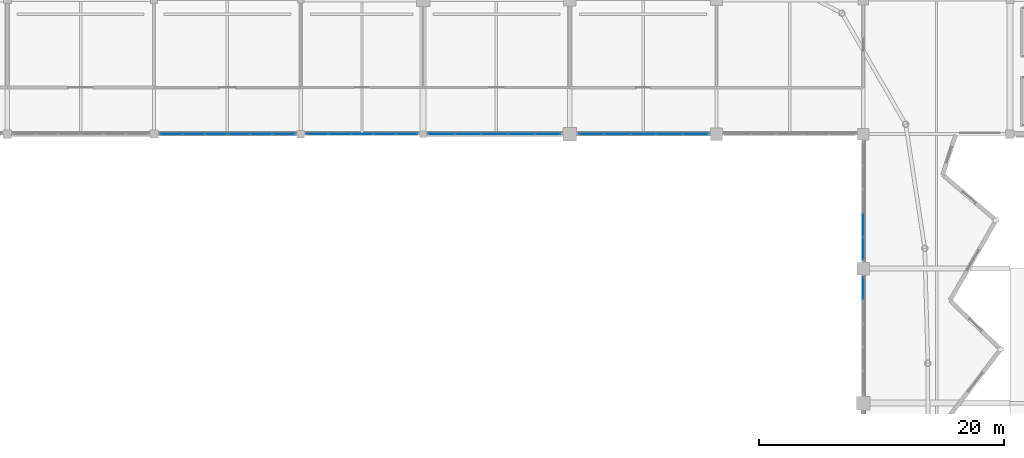
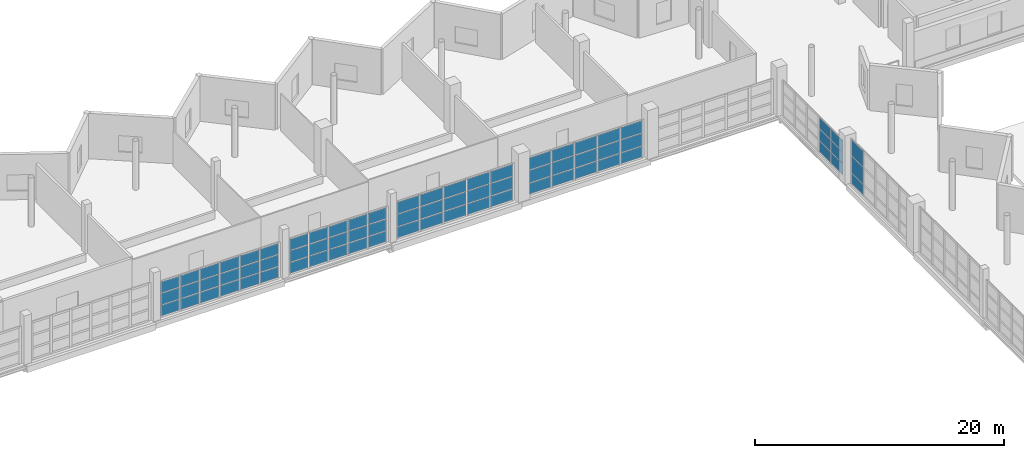
# One storey, part 33 of 53: 72 plates, 6 elements without a shape of their own.
"""IFC4 building model written with IfcOpenShell, lengths in metres."""

from ifc_helpers import new_model, si_unit, direction, frame, origin, origin_2d, place, context, subcontext, project, spatial, rectangle, extrude, material, layer, layer_set, type_object, element, aggregate, save


model = new_model("IFC4")

# Units and contexts
model_context = context("Model", 3, precision=1e-05, world=origin(), true_north=direction((0.0, 1.0)))
body_context = subcontext(model_context, "Body", "Model", "MODEL_VIEW")
ifc_project = project(units=[si_unit("LENGTHUNIT", "METRE"), si_unit("AREAUNIT", "SQUARE_METRE"), si_unit("VOLUMEUNIT", "CUBIC_METRE"), si_unit("PLANEANGLEUNIT", "RADIAN"), si_unit("MASSUNIT", "GRAM", prefix="KILO")], contexts=[model_context])

# Site, building, storey
site_placement = place(None, origin())
site = spatial("IfcSite", under=ifc_project, at=site_placement, CompositionType="ELEMENT")
building_placement = place(site_placement, origin())
building = spatial("IfcBuilding", under=site, at=building_placement, Name="Luwafu Chhajja Arena", CompositionType="ELEMENT")
storey_placement = place(building_placement, frame((0.0, 0.0, 19.5)))
storey = spatial("IfcBuildingStorey", under=building, at=storey_placement, Name="L04", CompositionType="ELEMENT", Elevation=19.5)

# Curtain wall, plates
ifc_material_1 = material(Name="Anodised bronze aluminium", Category="aluminium")
curtain_wall_type = type_object("IfcCurtainWallType", Name="Media Ribbon Curtain Wall", PredefinedType="USERDEFINED", material=ifc_material_1)
curtain_wall_1_placement = place(storey_placement, origin())
curtain_wall_1 = element("IfcCurtainWall", 1, at=curtain_wall_1_placement, inside=storey, type_object=curtain_wall_type, Name="L04 Bowl Viewing Curtain Wall CWR-L04-10", ObjectType="CURTAIN WALL", PredefinedType="USERDEFINED")
ifc_material_2 = material(Name="Solar-control laminated glass", Category="glass")
ifc_layer = layer(ifc_material_2, 0.035888671875, Name="Solar-control laminated glass")
ifc_layer_set = layer_set([ifc_layer], Name="Solar-control laminated glass")
plate_type = type_object("IfcPlateType", Name="Acoustic Broadcast Double Glazed CW Panel 36", PredefinedType="CURTAIN_PANEL", material=ifc_layer_set)
plate_1_placement = place(storey_placement, frame((83.406982421875, 77.0, 0.070068359375), z_axis=(0.0, 0.0, 1.0), x_axis=(1.0, 0.0, 0.0)))
plate_1 = element("IfcPlate", 2, at=plate_1_placement, type_object=plate_type, Name="CW-03 panel 1.1", PredefinedType="CURTAIN_PANEL", context=body_context, shape_type="SweptSolid", body=[
    extrude(rectangle(XDim=1.744140625, YDim=0.035888671875, at=origin_2d()), origin(), (0.0, 0.0, 1.0), 1.044921875),
])
plate_2_placement = place(storey_placement, frame((83.406982421875, 77.0, 1.18505859375), z_axis=(0.0, 0.0, 1.0), x_axis=(1.0, 0.0, 0.0)))
plate_2 = element("IfcPlate", 3, at=plate_2_placement, type_object=plate_type, Name="CW-03 panel 1.2", PredefinedType="CURTAIN_PANEL", context=body_context, shape_type="SweptSolid", body=[
    extrude(rectangle(XDim=1.744140625, YDim=0.035888671875, at=origin_2d()), origin(), (0.0, 0.0, 1.0), 1.10009765625),
])
plate_3_placement = place(storey_placement, frame((83.406982421875, 77.0, 2.35498046875), z_axis=(0.0, 0.0, 1.0), x_axis=(1.0, 0.0, 0.0)))
plate_3 = element("IfcPlate", 4, at=plate_3_placement, type_object=plate_type, Name="CW-03 panel 1.3", PredefinedType="CURTAIN_PANEL", context=body_context, shape_type="SweptSolid", body=[
    extrude(rectangle(XDim=1.744140625, YDim=0.035888671875, at=origin_2d()), origin(), (0.0, 0.0, 1.0), 1.06494140625),
])
plate_4_placement = place(storey_placement, frame((85.23876953125, 77.0, 0.070068359375), z_axis=(0.0, 0.0, 1.0), x_axis=(1.0, 0.0, 0.0)))
plate_4 = element("IfcPlate", 5, at=plate_4_placement, type_object=plate_type, Name="CW-03 panel 2.1", PredefinedType="CURTAIN_PANEL", context=body_context, shape_type="SweptSolid", body=[
    extrude(rectangle(XDim=1.779052734375, YDim=0.035888671875, at=origin_2d()), origin(), (0.0, 0.0, 1.0), 1.044921875),
])
plate_5_placement = place(storey_placement, frame((85.23876953125, 77.0, 1.18505859375), z_axis=(0.0, 0.0, 1.0), x_axis=(1.0, 0.0, 0.0)))
plate_5 = element("IfcPlate", 6, at=plate_5_placement, type_object=plate_type, Name="CW-03 panel 2.2", PredefinedType="CURTAIN_PANEL", context=body_context, shape_type="SweptSolid", body=[
    extrude(rectangle(XDim=1.779052734375, YDim=0.035888671875, at=origin_2d()), origin(), (0.0, 0.0, 1.0), 1.10009765625),
])
plate_6_placement = place(storey_placement, frame((85.23876953125, 77.0, 2.35498046875), z_axis=(0.0, 0.0, 1.0), x_axis=(1.0, 0.0, 0.0)))
plate_6 = element("IfcPlate", 7, at=plate_6_placement, type_object=plate_type, Name="CW-03 panel 2.3", PredefinedType="CURTAIN_PANEL", context=body_context, shape_type="SweptSolid", body=[
    extrude(rectangle(XDim=1.779052734375, YDim=0.035888671875, at=origin_2d()), origin(), (0.0, 0.0, 1.0), 1.06494140625),
])
plate_7_placement = place(storey_placement, frame((87.087890625, 77.0, 0.070068359375), z_axis=(0.0, 0.0, 1.0), x_axis=(1.0, 0.0, 0.0)))
plate_7 = element("IfcPlate", 8, at=plate_7_placement, type_object=plate_type, Name="CW-03 panel 3.1", PredefinedType="CURTAIN_PANEL", context=body_context, shape_type="SweptSolid", body=[
    extrude(rectangle(XDim=1.779052734375, YDim=0.035888671875, at=origin_2d()), origin(), (0.0, 0.0, 1.0), 1.044921875),
])
plate_8_placement = place(storey_placement, frame((87.087890625, 77.0, 1.18505859375), z_axis=(0.0, 0.0, 1.0), x_axis=(1.0, 0.0, 0.0)))
plate_8 = element("IfcPlate", 9, at=plate_8_placement, type_object=plate_type, Name="CW-03 panel 3.2", PredefinedType="CURTAIN_PANEL", context=body_context, shape_type="SweptSolid", body=[
    extrude(rectangle(XDim=1.779052734375, YDim=0.035888671875, at=origin_2d()), origin(), (0.0, 0.0, 1.0), 1.10009765625),
])
plate_9_placement = place(storey_placement, frame((87.087890625, 77.0, 2.35498046875), z_axis=(0.0, 0.0, 1.0), x_axis=(1.0, 0.0, 0.0)))
plate_9 = element("IfcPlate", 10, at=plate_9_placement, type_object=plate_type, Name="CW-03 panel 3.3", PredefinedType="CURTAIN_PANEL", context=body_context, shape_type="SweptSolid", body=[
    extrude(rectangle(XDim=1.779052734375, YDim=0.035888671875, at=origin_2d()), origin(), (0.0, 0.0, 1.0), 1.06494140625),
])
plate_10_placement = place(storey_placement, frame((88.93701171875, 77.0, 0.070068359375), z_axis=(0.0, 0.0, 1.0), x_axis=(1.0, 0.0, 0.0)))
plate_10 = element("IfcPlate", 11, at=plate_10_placement, type_object=plate_type, Name="CW-03 panel 4.1", PredefinedType="CURTAIN_PANEL", context=body_context, shape_type="SweptSolid", body=[
    extrude(rectangle(XDim=1.779052734375, YDim=0.035888671875, at=origin_2d()), origin(), (0.0, 0.0, 1.0), 1.044921875),
])
plate_11_placement = place(storey_placement, frame((88.93701171875, 77.0, 1.18505859375), z_axis=(0.0, 0.0, 1.0), x_axis=(1.0, 0.0, 0.0)))
plate_11 = element("IfcPlate", 12, at=plate_11_placement, type_object=plate_type, Name="CW-03 panel 4.2", PredefinedType="CURTAIN_PANEL", context=body_context, shape_type="SweptSolid", body=[
    extrude(rectangle(XDim=1.779052734375, YDim=0.035888671875, at=origin_2d()), origin(), (0.0, 0.0, 1.0), 1.10009765625),
])
plate_12_placement = place(storey_placement, frame((88.93701171875, 77.0, 2.35498046875), z_axis=(0.0, 0.0, 1.0), x_axis=(1.0, 0.0, 0.0)))
plate_12 = element("IfcPlate", 13, at=plate_12_placement, type_object=plate_type, Name="CW-03 panel 4.3", PredefinedType="CURTAIN_PANEL", context=body_context, shape_type="SweptSolid", body=[
    extrude(rectangle(XDim=1.779052734375, YDim=0.035888671875, at=origin_2d()), origin(), (0.0, 0.0, 1.0), 1.06494140625),
])
plate_13_placement = place(storey_placement, frame((90.7861328125, 77.0, 0.070068359375), z_axis=(0.0, 0.0, 1.0), x_axis=(1.0, 0.0, 0.0)))
plate_13 = element("IfcPlate", 14, at=plate_13_placement, type_object=plate_type, Name="CW-03 panel 5.1", PredefinedType="CURTAIN_PANEL", context=body_context, shape_type="SweptSolid", body=[
    extrude(rectangle(XDim=1.779052734375, YDim=0.035888671875, at=origin_2d()), origin(), (0.0, 0.0, 1.0), 1.044921875),
])
plate_14_placement = place(storey_placement, frame((90.7861328125, 77.0, 1.18505859375), z_axis=(0.0, 0.0, 1.0), x_axis=(1.0, 0.0, 0.0)))
plate_14 = element("IfcPlate", 15, at=plate_14_placement, type_object=plate_type, Name="CW-03 panel 5.2", PredefinedType="CURTAIN_PANEL", context=body_context, shape_type="SweptSolid", body=[
    extrude(rectangle(XDim=1.779052734375, YDim=0.035888671875, at=origin_2d()), origin(), (0.0, 0.0, 1.0), 1.10009765625),
])
plate_15_placement = place(storey_placement, frame((90.7861328125, 77.0, 2.35498046875), z_axis=(0.0, 0.0, 1.0), x_axis=(1.0, 0.0, 0.0)))
plate_15 = element("IfcPlate", 16, at=plate_15_placement, type_object=plate_type, Name="CW-03 panel 5.3", PredefinedType="CURTAIN_PANEL", context=body_context, shape_type="SweptSolid", body=[
    extrude(rectangle(XDim=1.779052734375, YDim=0.035888671875, at=origin_2d()), origin(), (0.0, 0.0, 1.0), 1.06494140625),
])
plate_16_placement = place(storey_placement, frame((92.617919921875, 77.0, 0.070068359375), z_axis=(0.0, 0.0, 1.0), x_axis=(1.0, 0.0, 0.0)))
plate_16 = element("IfcPlate", 17, at=plate_16_placement, type_object=plate_type, Name="CW-03 panel 6.1", PredefinedType="CURTAIN_PANEL", context=body_context, shape_type="SweptSolid", body=[
    extrude(rectangle(XDim=1.744140625, YDim=0.035888671875, at=origin_2d()), origin(), (0.0, 0.0, 1.0), 1.044921875),
])
plate_17_placement = place(storey_placement, frame((92.617919921875, 77.0, 1.18505859375), z_axis=(0.0, 0.0, 1.0), x_axis=(1.0, 0.0, 0.0)))
plate_17 = element("IfcPlate", 18, at=plate_17_placement, type_object=plate_type, Name="CW-03 panel 6.2", PredefinedType="CURTAIN_PANEL", context=body_context, shape_type="SweptSolid", body=[
    extrude(rectangle(XDim=1.744140625, YDim=0.035888671875, at=origin_2d()), origin(), (0.0, 0.0, 1.0), 1.10009765625),
])
plate_18_placement = place(storey_placement, frame((92.617919921875, 77.0, 2.35498046875), z_axis=(0.0, 0.0, 1.0), x_axis=(1.0, 0.0, 0.0)))
plate_18 = element("IfcPlate", 19, at=plate_18_placement, type_object=plate_type, Name="CW-03 panel 6.3", PredefinedType="CURTAIN_PANEL", context=body_context, shape_type="SweptSolid", body=[
    extrude(rectangle(XDim=1.744140625, YDim=0.035888671875, at=origin_2d()), origin(), (0.0, 0.0, 1.0), 1.06494140625),
])
aggregate(curtain_wall_1, [plate_1, plate_2, plate_3, plate_4, plate_5, plate_6, plate_7, plate_8, plate_9, plate_10, plate_11, plate_12, plate_13, plate_14, plate_15, plate_16, plate_17, plate_18])

curtain_wall_2_placement = place(storey_placement, origin())
curtain_wall_2 = element("IfcCurtainWall", 20, at=curtain_wall_2_placement, inside=storey, type_object=curtain_wall_type, Name="L04 Bowl Viewing Curtain Wall CWR-L04-11", ObjectType="CURTAIN WALL", PredefinedType="USERDEFINED")
plate_19_placement = place(storey_placement, frame((95.3720703125, 77.0, 0.070068359375), z_axis=(0.0, 0.0, 1.0), x_axis=(1.0, 0.0, 0.0)))
plate_19 = element("IfcPlate", 21, at=plate_19_placement, type_object=plate_type, Name="CW-03 panel 1.1", PredefinedType="CURTAIN_PANEL", context=body_context, shape_type="SweptSolid", body=[
    extrude(rectangle(XDim=1.72412109375, YDim=0.035888671875, at=origin_2d()), origin(), (0.0, 0.0, 1.0), 1.044921875),
])
plate_20_placement = place(storey_placement, frame((95.3720703125, 77.0, 1.18505859375), z_axis=(0.0, 0.0, 1.0), x_axis=(1.0, 0.0, 0.0)))
plate_20 = element("IfcPlate", 22, at=plate_20_placement, type_object=plate_type, Name="CW-03 panel 1.2", PredefinedType="CURTAIN_PANEL", context=body_context, shape_type="SweptSolid", body=[
    extrude(rectangle(XDim=1.72412109375, YDim=0.035888671875, at=origin_2d()), origin(), (0.0, 0.0, 1.0), 1.10009765625),
])
plate_21_placement = place(storey_placement, frame((95.3720703125, 77.0, 2.35498046875), z_axis=(0.0, 0.0, 1.0), x_axis=(1.0, 0.0, 0.0)))
plate_21 = element("IfcPlate", 23, at=plate_21_placement, type_object=plate_type, Name="CW-03 panel 1.3", PredefinedType="CURTAIN_PANEL", context=body_context, shape_type="SweptSolid", body=[
    extrude(rectangle(XDim=1.72412109375, YDim=0.035888671875, at=origin_2d()), origin(), (0.0, 0.0, 1.0), 1.06494140625),
])
plate_22_placement = place(storey_placement, frame((97.18359375, 77.0, 0.070068359375), z_axis=(0.0, 0.0, 1.0), x_axis=(1.0, 0.0, 0.0)))
plate_22 = element("IfcPlate", 24, at=plate_22_placement, type_object=plate_type, Name="CW-03 panel 2.1", PredefinedType="CURTAIN_PANEL", context=body_context, shape_type="SweptSolid", body=[
    extrude(rectangle(XDim=1.759033203125, YDim=0.035888671875, at=origin_2d()), origin(), (0.0, 0.0, 1.0), 1.044921875),
])
plate_23_placement = place(storey_placement, frame((97.18359375, 77.0, 1.18505859375), z_axis=(0.0, 0.0, 1.0), x_axis=(1.0, 0.0, 0.0)))
plate_23 = element("IfcPlate", 25, at=plate_23_placement, type_object=plate_type, Name="CW-03 panel 2.2", PredefinedType="CURTAIN_PANEL", context=body_context, shape_type="SweptSolid", body=[
    extrude(rectangle(XDim=1.759033203125, YDim=0.035888671875, at=origin_2d()), origin(), (0.0, 0.0, 1.0), 1.10009765625),
])
plate_24_placement = place(storey_placement, frame((97.18359375, 77.0, 2.35498046875), z_axis=(0.0, 0.0, 1.0), x_axis=(1.0, 0.0, 0.0)))
plate_24 = element("IfcPlate", 26, at=plate_24_placement, type_object=plate_type, Name="CW-03 panel 2.3", PredefinedType="CURTAIN_PANEL", context=body_context, shape_type="SweptSolid", body=[
    extrude(rectangle(XDim=1.759033203125, YDim=0.035888671875, at=origin_2d()), origin(), (0.0, 0.0, 1.0), 1.06494140625),
])
plate_25_placement = place(storey_placement, frame((99.012451171875, 77.0, 0.070068359375), z_axis=(0.0, 0.0, 1.0), x_axis=(1.0, 0.0, 0.0)))
plate_25 = element("IfcPlate", 27, at=plate_25_placement, type_object=plate_type, Name="CW-03 panel 3.1", PredefinedType="CURTAIN_PANEL", context=body_context, shape_type="SweptSolid", body=[
    extrude(rectangle(XDim=1.759033203125, YDim=0.035888671875, at=origin_2d()), origin(), (0.0, 0.0, 1.0), 1.044921875),
])
plate_26_placement = place(storey_placement, frame((99.012451171875, 77.0, 1.18505859375), z_axis=(0.0, 0.0, 1.0), x_axis=(1.0, 0.0, 0.0)))
plate_26 = element("IfcPlate", 28, at=plate_26_placement, type_object=plate_type, Name="CW-03 panel 3.2", PredefinedType="CURTAIN_PANEL", context=body_context, shape_type="SweptSolid", body=[
    extrude(rectangle(XDim=1.759033203125, YDim=0.035888671875, at=origin_2d()), origin(), (0.0, 0.0, 1.0), 1.10009765625),
])
plate_27_placement = place(storey_placement, frame((99.012451171875, 77.0, 2.35498046875), z_axis=(0.0, 0.0, 1.0), x_axis=(1.0, 0.0, 0.0)))
plate_27 = element("IfcPlate", 29, at=plate_27_placement, type_object=plate_type, Name="CW-03 panel 3.3", PredefinedType="CURTAIN_PANEL", context=body_context, shape_type="SweptSolid", body=[
    extrude(rectangle(XDim=1.759033203125, YDim=0.035888671875, at=origin_2d()), origin(), (0.0, 0.0, 1.0), 1.06494140625),
])
plate_28_placement = place(storey_placement, frame((100.841552734375, 77.0, 0.070068359375), z_axis=(0.0, 0.0, 1.0), x_axis=(1.0, 0.0, 0.0)))
plate_28 = element("IfcPlate", 30, at=plate_28_placement, type_object=plate_type, Name="CW-03 panel 4.1", PredefinedType="CURTAIN_PANEL", context=body_context, shape_type="SweptSolid", body=[
    extrude(rectangle(XDim=1.759033203125, YDim=0.035888671875, at=origin_2d()), origin(), (0.0, 0.0, 1.0), 1.044921875),
])
plate_29_placement = place(storey_placement, frame((100.841552734375, 77.0, 1.18505859375), z_axis=(0.0, 0.0, 1.0), x_axis=(1.0, 0.0, 0.0)))
plate_29 = element("IfcPlate", 31, at=plate_29_placement, type_object=plate_type, Name="CW-03 panel 4.2", PredefinedType="CURTAIN_PANEL", context=body_context, shape_type="SweptSolid", body=[
    extrude(rectangle(XDim=1.759033203125, YDim=0.035888671875, at=origin_2d()), origin(), (0.0, 0.0, 1.0), 1.10009765625),
])
plate_30_placement = place(storey_placement, frame((100.841552734375, 77.0, 2.35498046875), z_axis=(0.0, 0.0, 1.0), x_axis=(1.0, 0.0, 0.0)))
plate_30 = element("IfcPlate", 32, at=plate_30_placement, type_object=plate_type, Name="CW-03 panel 4.3", PredefinedType="CURTAIN_PANEL", context=body_context, shape_type="SweptSolid", body=[
    extrude(rectangle(XDim=1.759033203125, YDim=0.035888671875, at=origin_2d()), origin(), (0.0, 0.0, 1.0), 1.06494140625),
])
plate_31_placement = place(storey_placement, frame((102.653076171875, 77.0, 0.070068359375), z_axis=(0.0, 0.0, 1.0), x_axis=(1.0, 0.0, 0.0)))
plate_31 = element("IfcPlate", 33, at=plate_31_placement, type_object=plate_type, Name="CW-03 panel 5.1", PredefinedType="CURTAIN_PANEL", context=body_context, shape_type="SweptSolid", body=[
    extrude(rectangle(XDim=1.72412109375, YDim=0.035888671875, at=origin_2d()), origin(), (0.0, 0.0, 1.0), 1.044921875),
])
plate_32_placement = place(storey_placement, frame((102.653076171875, 77.0, 1.18505859375), z_axis=(0.0, 0.0, 1.0), x_axis=(1.0, 0.0, 0.0)))
plate_32 = element("IfcPlate", 34, at=plate_32_placement, type_object=plate_type, Name="CW-03 panel 5.2", PredefinedType="CURTAIN_PANEL", context=body_context, shape_type="SweptSolid", body=[
    extrude(rectangle(XDim=1.72412109375, YDim=0.035888671875, at=origin_2d()), origin(), (0.0, 0.0, 1.0), 1.10009765625),
])
plate_33_placement = place(storey_placement, frame((102.653076171875, 77.0, 2.35498046875), z_axis=(0.0, 0.0, 1.0), x_axis=(1.0, 0.0, 0.0)))
plate_33 = element("IfcPlate", 35, at=plate_33_placement, type_object=plate_type, Name="CW-03 panel 5.3", PredefinedType="CURTAIN_PANEL", context=body_context, shape_type="SweptSolid", body=[
    extrude(rectangle(XDim=1.72412109375, YDim=0.035888671875, at=origin_2d()), origin(), (0.0, 0.0, 1.0), 1.06494140625),
])
aggregate(curtain_wall_2, [plate_19, plate_20, plate_21, plate_22, plate_23, plate_24, plate_25, plate_26, plate_27, plate_28, plate_29, plate_30, plate_31, plate_32, plate_33])

curtain_wall_3_placement = place(storey_placement, origin())
curtain_wall_3 = element("IfcCurtainWall", 36, at=curtain_wall_3_placement, inside=storey, type_object=curtain_wall_type, Name="L04 Bowl Viewing Curtain Wall CWR-L04-12", ObjectType="CURTAIN WALL", PredefinedType="USERDEFINED")
plate_34_placement = place(storey_placement, frame((105.52197265625, 77.0, 0.070068359375), z_axis=(0.0, 0.0, 1.0), x_axis=(1.0, 0.0, 0.0)))
plate_34 = element("IfcPlate", 37, at=plate_34_placement, type_object=plate_type, Name="CW-03 panel 1.1", PredefinedType="CURTAIN_PANEL", context=body_context, shape_type="SweptSolid", body=[
    extrude(rectangle(XDim=2.073974609375, YDim=0.035888671875, at=origin_2d()), origin(), (0.0, 0.0, 1.0), 1.044921875),
])
plate_35_placement = place(storey_placement, frame((105.52197265625, 77.0, 1.18505859375), z_axis=(0.0, 0.0, 1.0), x_axis=(1.0, 0.0, 0.0)))
plate_35 = element("IfcPlate", 38, at=plate_35_placement, type_object=plate_type, Name="CW-03 panel 1.2", PredefinedType="CURTAIN_PANEL", context=body_context, shape_type="SweptSolid", body=[
    extrude(rectangle(XDim=2.073974609375, YDim=0.035888671875, at=origin_2d()), origin(), (0.0, 0.0, 1.0), 1.175048828125),
])
plate_36_placement = place(storey_placement, frame((105.52197265625, 77.0, 2.43017578125), z_axis=(0.0, 0.0, 1.0), x_axis=(1.0, 0.0, 0.0)))
plate_36 = element("IfcPlate", 39, at=plate_36_placement, type_object=plate_type, Name="CW-03 panel 1.3", PredefinedType="CURTAIN_PANEL", context=body_context, shape_type="SweptSolid", body=[
    extrude(rectangle(XDim=2.073974609375, YDim=0.035888671875, at=origin_2d()), origin(), (0.0, 0.0, 1.0), 1.139892578125),
])
plate_37_placement = place(storey_placement, frame((107.68359375, 77.0, 0.070068359375), z_axis=(0.0, 0.0, 1.0), x_axis=(1.0, 0.0, 0.0)))
plate_37 = element("IfcPlate", 40, at=plate_37_placement, type_object=plate_type, Name="CW-03 panel 2.1", PredefinedType="CURTAIN_PANEL", context=body_context, shape_type="SweptSolid", body=[
    extrude(rectangle(XDim=2.10888671875, YDim=0.035888671875, at=origin_2d()), origin(), (0.0, 0.0, 1.0), 1.044921875),
])
plate_38_placement = place(storey_placement, frame((107.68359375, 77.0, 1.18505859375), z_axis=(0.0, 0.0, 1.0), x_axis=(1.0, 0.0, 0.0)))
plate_38 = element("IfcPlate", 41, at=plate_38_placement, type_object=plate_type, Name="CW-03 panel 2.2", PredefinedType="CURTAIN_PANEL", context=body_context, shape_type="SweptSolid", body=[
    extrude(rectangle(XDim=2.10888671875, YDim=0.035888671875, at=origin_2d()), origin(), (0.0, 0.0, 1.0), 1.175048828125),
])
plate_39_placement = place(storey_placement, frame((107.68359375, 77.0, 2.43017578125), z_axis=(0.0, 0.0, 1.0), x_axis=(1.0, 0.0, 0.0)))
plate_39 = element("IfcPlate", 42, at=plate_39_placement, type_object=plate_type, Name="CW-03 panel 2.3", PredefinedType="CURTAIN_PANEL", context=body_context, shape_type="SweptSolid", body=[
    extrude(rectangle(XDim=2.10888671875, YDim=0.035888671875, at=origin_2d()), origin(), (0.0, 0.0, 1.0), 1.139892578125),
])
plate_40_placement = place(storey_placement, frame((109.862548828125, 77.0, 0.070068359375), z_axis=(0.0, 0.0, 1.0), x_axis=(1.0, 0.0, 0.0)))
plate_40 = element("IfcPlate", 43, at=plate_40_placement, type_object=plate_type, Name="CW-03 panel 3.1", PredefinedType="CURTAIN_PANEL", context=body_context, shape_type="SweptSolid", body=[
    extrude(rectangle(XDim=2.10888671875, YDim=0.035888671875, at=origin_2d()), origin(), (0.0, 0.0, 1.0), 1.044921875),
])
plate_41_placement = place(storey_placement, frame((109.862548828125, 77.0, 1.18505859375), z_axis=(0.0, 0.0, 1.0), x_axis=(1.0, 0.0, 0.0)))
plate_41 = element("IfcPlate", 44, at=plate_41_placement, type_object=plate_type, Name="CW-03 panel 3.2", PredefinedType="CURTAIN_PANEL", context=body_context, shape_type="SweptSolid", body=[
    extrude(rectangle(XDim=2.10888671875, YDim=0.035888671875, at=origin_2d()), origin(), (0.0, 0.0, 1.0), 1.175048828125),
])
plate_42_placement = place(storey_placement, frame((109.862548828125, 77.0, 2.43017578125), z_axis=(0.0, 0.0, 1.0), x_axis=(1.0, 0.0, 0.0)))
plate_42 = element("IfcPlate", 45, at=plate_42_placement, type_object=plate_type, Name="CW-03 panel 3.3", PredefinedType="CURTAIN_PANEL", context=body_context, shape_type="SweptSolid", body=[
    extrude(rectangle(XDim=2.10888671875, YDim=0.035888671875, at=origin_2d()), origin(), (0.0, 0.0, 1.0), 1.139892578125),
])
plate_43_placement = place(storey_placement, frame((112.04150390625, 77.0, 0.070068359375), z_axis=(0.0, 0.0, 1.0), x_axis=(1.0, 0.0, 0.0)))
plate_43 = element("IfcPlate", 46, at=plate_43_placement, type_object=plate_type, Name="CW-03 panel 4.1", PredefinedType="CURTAIN_PANEL", context=body_context, shape_type="SweptSolid", body=[
    extrude(rectangle(XDim=2.10888671875, YDim=0.035888671875, at=origin_2d()), origin(), (0.0, 0.0, 1.0), 1.044921875),
])
plate_44_placement = place(storey_placement, frame((112.04150390625, 77.0, 1.18505859375), z_axis=(0.0, 0.0, 1.0), x_axis=(1.0, 0.0, 0.0)))
plate_44 = element("IfcPlate", 47, at=plate_44_placement, type_object=plate_type, Name="CW-03 panel 4.2", PredefinedType="CURTAIN_PANEL", context=body_context, shape_type="SweptSolid", body=[
    extrude(rectangle(XDim=2.10888671875, YDim=0.035888671875, at=origin_2d()), origin(), (0.0, 0.0, 1.0), 1.175048828125),
])
plate_45_placement = place(storey_placement, frame((112.04150390625, 77.0, 2.43017578125), z_axis=(0.0, 0.0, 1.0), x_axis=(1.0, 0.0, 0.0)))
plate_45 = element("IfcPlate", 48, at=plate_45_placement, type_object=plate_type, Name="CW-03 panel 4.3", PredefinedType="CURTAIN_PANEL", context=body_context, shape_type="SweptSolid", body=[
    extrude(rectangle(XDim=2.10888671875, YDim=0.035888671875, at=origin_2d()), origin(), (0.0, 0.0, 1.0), 1.139892578125),
])
plate_46_placement = place(storey_placement, frame((114.202880859375, 77.0, 0.070068359375), z_axis=(0.0, 0.0, 1.0), x_axis=(1.0, 0.0, 0.0)))
plate_46 = element("IfcPlate", 49, at=plate_46_placement, type_object=plate_type, Name="CW-03 panel 5.1", PredefinedType="CURTAIN_PANEL", context=body_context, shape_type="SweptSolid", body=[
    extrude(rectangle(XDim=2.073974609375, YDim=0.035888671875, at=origin_2d()), origin(), (0.0, 0.0, 1.0), 1.044921875),
])
plate_47_placement = place(storey_placement, frame((114.202880859375, 77.0, 1.18505859375), z_axis=(0.0, 0.0, 1.0), x_axis=(1.0, 0.0, 0.0)))
plate_47 = element("IfcPlate", 50, at=plate_47_placement, type_object=plate_type, Name="CW-03 panel 5.2", PredefinedType="CURTAIN_PANEL", context=body_context, shape_type="SweptSolid", body=[
    extrude(rectangle(XDim=2.073974609375, YDim=0.035888671875, at=origin_2d()), origin(), (0.0, 0.0, 1.0), 1.175048828125),
])
plate_48_placement = place(storey_placement, frame((114.202880859375, 77.0, 2.43017578125), z_axis=(0.0, 0.0, 1.0), x_axis=(1.0, 0.0, 0.0)))
plate_48 = element("IfcPlate", 51, at=plate_48_placement, type_object=plate_type, Name="CW-03 panel 5.3", PredefinedType="CURTAIN_PANEL", context=body_context, shape_type="SweptSolid", body=[
    extrude(rectangle(XDim=2.073974609375, YDim=0.035888671875, at=origin_2d()), origin(), (0.0, 0.0, 1.0), 1.139892578125),
])
aggregate(curtain_wall_3, [plate_34, plate_35, plate_36, plate_37, plate_38, plate_39, plate_40, plate_41, plate_42, plate_43, plate_44, plate_45, plate_46, plate_47, plate_48])

curtain_wall_4_placement = place(storey_placement, origin())
curtain_wall_4 = element("IfcCurtainWall", 52, at=curtain_wall_4_placement, inside=storey, type_object=curtain_wall_type, Name="L04 Bowl Viewing Curtain Wall CWR-L04-13", ObjectType="CURTAIN WALL", PredefinedType="USERDEFINED")
plate_49_placement = place(storey_placement, frame((117.7744140625, 77.0, 0.070068359375), z_axis=(0.0, 0.0, 1.0), x_axis=(1.0, 0.0, 0.0)))
plate_49 = element("IfcPlate", 53, at=plate_49_placement, type_object=plate_type, Name="CW-03 panel 1.1", PredefinedType="CURTAIN_PANEL", context=body_context, shape_type="SweptSolid", body=[
    extrude(rectangle(XDim=2.029052734375, YDim=0.035888671875, at=origin_2d()), origin(), (0.0, 0.0, 1.0), 1.044921875),
])
plate_50_placement = place(storey_placement, frame((117.7744140625, 77.0, 1.18505859375), z_axis=(0.0, 0.0, 1.0), x_axis=(1.0, 0.0, 0.0)))
plate_50 = element("IfcPlate", 54, at=plate_50_placement, type_object=plate_type, Name="CW-03 panel 1.2", PredefinedType="CURTAIN_PANEL", context=body_context, shape_type="SweptSolid", body=[
    extrude(rectangle(XDim=2.029052734375, YDim=0.035888671875, at=origin_2d()), origin(), (0.0, 0.0, 1.0), 1.208251953125),
])
plate_51_placement = place(storey_placement, frame((117.7744140625, 77.0, 2.463134765625), z_axis=(0.0, 0.0, 1.0), x_axis=(1.0, 0.0, 0.0)))
plate_51 = element("IfcPlate", 55, at=plate_51_placement, type_object=plate_type, Name="CW-03 panel 1.3", PredefinedType="CURTAIN_PANEL", context=body_context, shape_type="SweptSolid", body=[
    extrude(rectangle(XDim=2.029052734375, YDim=0.035888671875, at=origin_2d()), origin(), (0.0, 0.0, 1.0), 1.17333984375),
])
plate_52_placement = place(storey_placement, frame((119.89111328125, 77.0, 0.070068359375), z_axis=(0.0, 0.0, 1.0), x_axis=(1.0, 0.0, 0.0)))
plate_52 = element("IfcPlate", 56, at=plate_52_placement, type_object=plate_type, Name="CW-03 panel 2.1", PredefinedType="CURTAIN_PANEL", context=body_context, shape_type="SweptSolid", body=[
    extrude(rectangle(XDim=2.06396484375, YDim=0.035888671875, at=origin_2d()), origin(), (0.0, 0.0, 1.0), 1.044921875),
])
plate_53_placement = place(storey_placement, frame((119.89111328125, 77.0, 1.18505859375), z_axis=(0.0, 0.0, 1.0), x_axis=(1.0, 0.0, 0.0)))
plate_53 = element("IfcPlate", 57, at=plate_53_placement, type_object=plate_type, Name="CW-03 panel 2.2", PredefinedType="CURTAIN_PANEL", context=body_context, shape_type="SweptSolid", body=[
    extrude(rectangle(XDim=2.06396484375, YDim=0.035888671875, at=origin_2d()), origin(), (0.0, 0.0, 1.0), 1.208251953125),
])
plate_54_placement = place(storey_placement, frame((119.89111328125, 77.0, 2.463134765625), z_axis=(0.0, 0.0, 1.0), x_axis=(1.0, 0.0, 0.0)))
plate_54 = element("IfcPlate", 58, at=plate_54_placement, type_object=plate_type, Name="CW-03 panel 2.3", PredefinedType="CURTAIN_PANEL", context=body_context, shape_type="SweptSolid", body=[
    extrude(rectangle(XDim=2.06396484375, YDim=0.035888671875, at=origin_2d()), origin(), (0.0, 0.0, 1.0), 1.17333984375),
])
plate_55_placement = place(storey_placement, frame((122.02490234375, 77.0, 0.070068359375), z_axis=(0.0, 0.0, 1.0), x_axis=(1.0, 0.0, 0.0)))
plate_55 = element("IfcPlate", 59, at=plate_55_placement, type_object=plate_type, Name="CW-03 panel 3.1", PredefinedType="CURTAIN_PANEL", context=body_context, shape_type="SweptSolid", body=[
    extrude(rectangle(XDim=2.06396484375, YDim=0.035888671875, at=origin_2d()), origin(), (0.0, 0.0, 1.0), 1.044921875),
])
plate_56_placement = place(storey_placement, frame((122.02490234375, 77.0, 1.18505859375), z_axis=(0.0, 0.0, 1.0), x_axis=(1.0, 0.0, 0.0)))
plate_56 = element("IfcPlate", 60, at=plate_56_placement, type_object=plate_type, Name="CW-03 panel 3.2", PredefinedType="CURTAIN_PANEL", context=body_context, shape_type="SweptSolid", body=[
    extrude(rectangle(XDim=2.06396484375, YDim=0.035888671875, at=origin_2d()), origin(), (0.0, 0.0, 1.0), 1.208251953125),
])
plate_57_placement = place(storey_placement, frame((122.02490234375, 77.0, 2.463134765625), z_axis=(0.0, 0.0, 1.0), x_axis=(1.0, 0.0, 0.0)))
plate_57 = element("IfcPlate", 61, at=plate_57_placement, type_object=plate_type, Name="CW-03 panel 3.3", PredefinedType="CURTAIN_PANEL", context=body_context, shape_type="SweptSolid", body=[
    extrude(rectangle(XDim=2.06396484375, YDim=0.035888671875, at=origin_2d()), origin(), (0.0, 0.0, 1.0), 1.17333984375),
])
plate_58_placement = place(storey_placement, frame((124.158935546875, 77.0, 0.070068359375), z_axis=(0.0, 0.0, 1.0), x_axis=(1.0, 0.0, 0.0)))
plate_58 = element("IfcPlate", 62, at=plate_58_placement, type_object=plate_type, Name="CW-03 panel 4.1", PredefinedType="CURTAIN_PANEL", context=body_context, shape_type="SweptSolid", body=[
    extrude(rectangle(XDim=2.06396484375, YDim=0.035888671875, at=origin_2d()), origin(), (0.0, 0.0, 1.0), 1.044921875),
])
plate_59_placement = place(storey_placement, frame((124.158935546875, 77.0, 1.18505859375), z_axis=(0.0, 0.0, 1.0), x_axis=(1.0, 0.0, 0.0)))
plate_59 = element("IfcPlate", 63, at=plate_59_placement, type_object=plate_type, Name="CW-03 panel 4.2", PredefinedType="CURTAIN_PANEL", context=body_context, shape_type="SweptSolid", body=[
    extrude(rectangle(XDim=2.06396484375, YDim=0.035888671875, at=origin_2d()), origin(), (0.0, 0.0, 1.0), 1.208251953125),
])
plate_60_placement = place(storey_placement, frame((124.158935546875, 77.0, 2.463134765625), z_axis=(0.0, 0.0, 1.0), x_axis=(1.0, 0.0, 0.0)))
plate_60 = element("IfcPlate", 64, at=plate_60_placement, type_object=plate_type, Name="CW-03 panel 4.3", PredefinedType="CURTAIN_PANEL", context=body_context, shape_type="SweptSolid", body=[
    extrude(rectangle(XDim=2.06396484375, YDim=0.035888671875, at=origin_2d()), origin(), (0.0, 0.0, 1.0), 1.17333984375),
])
plate_61_placement = place(storey_placement, frame((126.275390625, 77.0, 0.070068359375), z_axis=(0.0, 0.0, 1.0), x_axis=(1.0, 0.0, 0.0)))
plate_61 = element("IfcPlate", 65, at=plate_61_placement, type_object=plate_type, Name="CW-03 panel 5.1", PredefinedType="CURTAIN_PANEL", context=body_context, shape_type="SweptSolid", body=[
    extrude(rectangle(XDim=2.029052734375, YDim=0.035888671875, at=origin_2d()), origin(), (0.0, 0.0, 1.0), 1.044921875),
])
plate_62_placement = place(storey_placement, frame((126.275390625, 77.0, 1.18505859375), z_axis=(0.0, 0.0, 1.0), x_axis=(1.0, 0.0, 0.0)))
plate_62 = element("IfcPlate", 66, at=plate_62_placement, type_object=plate_type, Name="CW-03 panel 5.2", PredefinedType="CURTAIN_PANEL", context=body_context, shape_type="SweptSolid", body=[
    extrude(rectangle(XDim=2.029052734375, YDim=0.035888671875, at=origin_2d()), origin(), (0.0, 0.0, 1.0), 1.208251953125),
])
plate_63_placement = place(storey_placement, frame((126.275390625, 77.0, 2.463134765625), z_axis=(0.0, 0.0, 1.0), x_axis=(1.0, 0.0, 0.0)))
plate_63 = element("IfcPlate", 67, at=plate_63_placement, type_object=plate_type, Name="CW-03 panel 5.3", PredefinedType="CURTAIN_PANEL", context=body_context, shape_type="SweptSolid", body=[
    extrude(rectangle(XDim=2.029052734375, YDim=0.035888671875, at=origin_2d()), origin(), (0.0, 0.0, 1.0), 1.17333984375),
])
aggregate(curtain_wall_4, [plate_49, plate_50, plate_51, plate_52, plate_53, plate_54, plate_55, plate_56, plate_57, plate_58, plate_59, plate_60, plate_61, plate_62, plate_63])

curtain_wall_5_placement = place(storey_placement, origin())
curtain_wall_5 = element("IfcCurtainWall", 68, at=curtain_wall_5_placement, inside=storey, type_object=curtain_wall_type, Name="L04 Bowl Viewing Curtain Wall CWR-L04-23", ObjectType="CURTAIN WALL", PredefinedType="USERDEFINED")
plate_64_placement = place(storey_placement, frame((140.0, 64.37548828125, 0.070068359375), z_axis=(0.0, 0.0, 1.0), x_axis=(0.0, 1.0, 0.0)))
plate_64 = element("IfcPlate", 69, at=plate_64_placement, type_object=plate_type, Name="CW-03 panel 5.1", PredefinedType="CURTAIN_PANEL", context=body_context, shape_type="SweptSolid", body=[
    extrude(rectangle(XDim=1.8291015625, YDim=0.035888671875, at=origin_2d()), origin(), (0.0, 0.0, 1.0), 1.044921875),
])
plate_65_placement = place(storey_placement, frame((140.0, 64.37548828125, 1.18505859375), z_axis=(0.0, 0.0, 1.0), x_axis=(0.0, 1.0, 0.0)))
plate_65 = element("IfcPlate", 70, at=plate_65_placement, type_object=plate_type, Name="CW-03 panel 5.2", PredefinedType="CURTAIN_PANEL", context=body_context, shape_type="SweptSolid", body=[
    extrude(rectangle(XDim=1.8291015625, YDim=0.035888671875, at=origin_2d()), origin(), (0.0, 0.0, 1.0), 1.5849609375),
])
plate_66_placement = place(storey_placement, frame((140.0, 64.37548828125, 2.83984375), z_axis=(0.0, 0.0, 1.0), x_axis=(0.0, 1.0, 0.0)))
plate_66 = element("IfcPlate", 71, at=plate_66_placement, type_object=plate_type, Name="CW-03 panel 5.3", PredefinedType="CURTAIN_PANEL", context=body_context, shape_type="SweptSolid", body=[
    extrude(rectangle(XDim=1.8291015625, YDim=0.035888671875, at=origin_2d()), origin(), (0.0, 0.0, 1.0), 1.550048828125),
])
aggregate(curtain_wall_5, [plate_64, plate_65, plate_66])

curtain_wall_6_placement = place(storey_placement, origin())
curtain_wall_6 = element("IfcCurtainWall", 72, at=curtain_wall_6_placement, inside=storey, type_object=curtain_wall_type, Name="L04 Bowl Viewing Curtain Wall CWR-L04-24", ObjectType="CURTAIN WALL", PredefinedType="USERDEFINED")
plate_67_placement = place(storey_placement, frame((140.0, 67.632080078125, 0.070068359375), z_axis=(0.0, 0.0, 1.0), x_axis=(0.0, 1.0, 0.0)))
plate_67 = element("IfcPlate", 73, at=plate_67_placement, type_object=plate_type, Name="CW-03 panel 1.1", PredefinedType="CURTAIN_PANEL", context=body_context, shape_type="SweptSolid", body=[
    extrude(rectangle(XDim=1.843994140625, YDim=0.035888671875, at=origin_2d()), origin(), (0.0, 0.0, 1.0), 1.044921875),
])
plate_68_placement = place(storey_placement, frame((140.0, 67.632080078125, 1.18505859375), z_axis=(0.0, 0.0, 1.0), x_axis=(0.0, 1.0, 0.0)))
plate_68 = element("IfcPlate", 74, at=plate_68_placement, type_object=plate_type, Name="CW-03 panel 1.2", PredefinedType="CURTAIN_PANEL", context=body_context, shape_type="SweptSolid", body=[
    extrude(rectangle(XDim=1.843994140625, YDim=0.035888671875, at=origin_2d()), origin(), (0.0, 0.0, 1.0), 1.10009765625),
])
plate_69_placement = place(storey_placement, frame((140.0, 67.632080078125, 2.35498046875), z_axis=(0.0, 0.0, 1.0), x_axis=(0.0, 1.0, 0.0)))
plate_69 = element("IfcPlate", 75, at=plate_69_placement, type_object=plate_type, Name="CW-03 panel 1.3", PredefinedType="CURTAIN_PANEL", context=body_context, shape_type="SweptSolid", body=[
    extrude(rectangle(XDim=1.843994140625, YDim=0.035888671875, at=origin_2d()), origin(), (0.0, 0.0, 1.0), 1.06494140625),
])
plate_70_placement = place(storey_placement, frame((140.0, 69.5634765625, 0.070068359375), z_axis=(0.0, 0.0, 1.0), x_axis=(0.0, 1.0, 0.0)))
plate_70 = element("IfcPlate", 76, at=plate_70_placement, type_object=plate_type, Name="CW-03 panel 2.1", PredefinedType="CURTAIN_PANEL", context=body_context, shape_type="SweptSolid", body=[
    extrude(rectangle(XDim=1.87890625, YDim=0.035888671875, at=origin_2d()), origin(), (0.0, 0.0, 1.0), 1.044921875),
])
plate_71_placement = place(storey_placement, frame((140.0, 69.5634765625, 1.18505859375), z_axis=(0.0, 0.0, 1.0), x_axis=(0.0, 1.0, 0.0)))
plate_71 = element("IfcPlate", 77, at=plate_71_placement, type_object=plate_type, Name="CW-03 panel 2.2", PredefinedType="CURTAIN_PANEL", context=body_context, shape_type="SweptSolid", body=[
    extrude(rectangle(XDim=1.87890625, YDim=0.035888671875, at=origin_2d()), origin(), (0.0, 0.0, 1.0), 1.10009765625),
])
plate_72_placement = place(storey_placement, frame((140.0, 69.5634765625, 2.35498046875), z_axis=(0.0, 0.0, 1.0), x_axis=(0.0, 1.0, 0.0)))
plate_72 = element("IfcPlate", 78, at=plate_72_placement, type_object=plate_type, Name="CW-03 panel 2.3", PredefinedType="CURTAIN_PANEL", context=body_context, shape_type="SweptSolid", body=[
    extrude(rectangle(XDim=1.87890625, YDim=0.035888671875, at=origin_2d()), origin(), (0.0, 0.0, 1.0), 1.06494140625),
])
aggregate(curtain_wall_6, [plate_67, plate_68, plate_69, plate_70, plate_71, plate_72])

save(model, "model.ifc")
